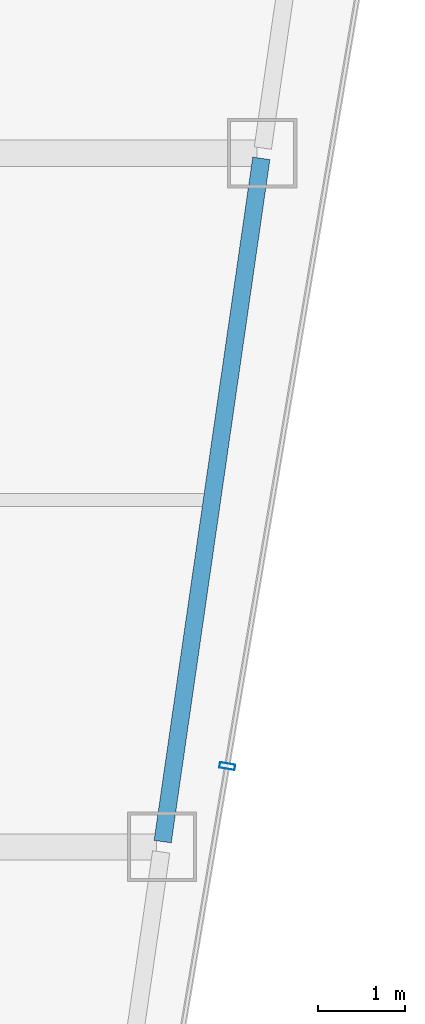
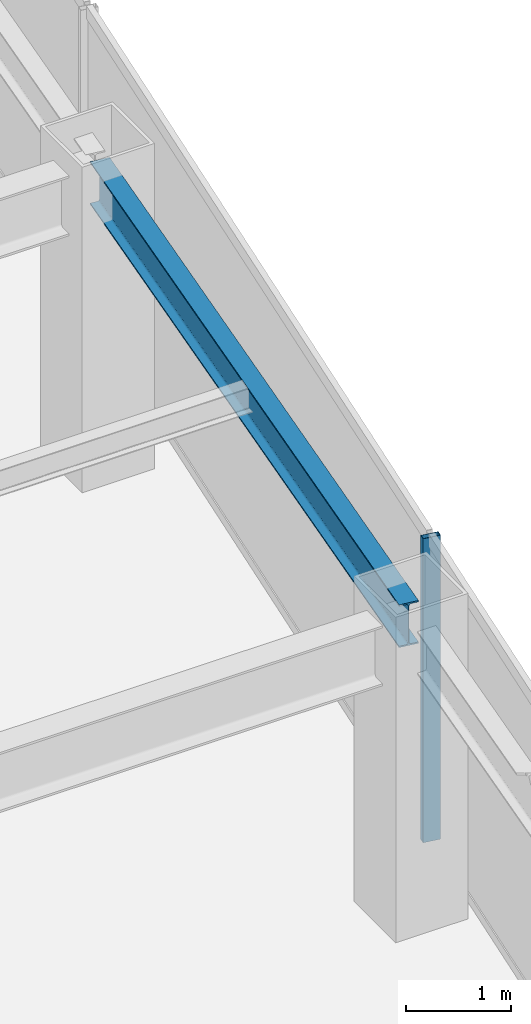
# One storey, part 20 of 35: 1 beam, 1 member, 1 element without a shape of its own.
"""IFC4 building model written with IfcOpenShell, lengths in metres."""

from ifc_helpers import new_model, si_unit, direction, frame, origin, origin_2d, place, context, subcontext, project, spatial, hollow_rectangle, i_section, extrude, material, material_profile, profile_set, type_object, element, aggregate, save


model = new_model("IFC4")

# Units and contexts
model_context = context("Model", 3, precision=1e-05, world=origin(), true_north=direction((0.0, 1.0)))
body_context = subcontext(model_context, "Body", "Model", "MODEL_VIEW")
ifc_project = project(units=[si_unit("LENGTHUNIT", "METRE"), si_unit("AREAUNIT", "SQUARE_METRE"), si_unit("VOLUMEUNIT", "CUBIC_METRE"), si_unit("PLANEANGLEUNIT", "RADIAN"), si_unit("MASSUNIT", "GRAM", prefix="KILO")], contexts=[model_context])

# Site, building, storey
site_placement = place(None, origin())
site = spatial("IfcSite", under=ifc_project, at=site_placement, CompositionType="ELEMENT")
building_placement = place(site_placement, origin())
building = spatial("IfcBuilding", under=site, at=building_placement, Name="Saevonmaru Cultural Tower", CompositionType="ELEMENT")
storey_placement = place(building_placement, frame((0.0, 0.0, 217.0)))
storey = spatial("IfcBuildingStorey", under=building, at=storey_placement, Name="L50", CompositionType="ELEMENT", Elevation=217.0)

# Beam
ifc_material_1 = material(Name="Steel SM355", Category="steel")
ifc_material_profile_1 = material_profile(ifc_material_1, i_section(OverallWidth=0.199951171875, OverallDepth=0.5, WebThickness=0.010009765625, FlangeThickness=0.01611328125, FilletRadius=0.02001953125, at=origin_2d()), Name="H-500x200x10x16")
ifc_profile_set_1 = profile_set([ifc_material_profile_1], Name="Steel SM355")
beam_type = type_object("IfcBeamType", Name="BM-SP-H500", PredefinedType="SPANDREL", material=ifc_profile_set_1)
beam_placement = place(storey_placement, frame((50.53662109375, 24.059326171875, 3.300048828125), z_axis=(0.142871999001, 0.989741174197, 0.0), x_axis=(-0.989741174197, 0.142871999001, 0.0)))
element("IfcBeam", 1, at=beam_placement, inside=storey, type_object=beam_type, Name="L50 East Splayed Spandrel 2", PredefinedType="SPANDREL", context=body_context, shape_type="SweptSolid", body=[
    extrude(i_section(OverallWidth=0.199951171875, OverallDepth=0.5, WebThickness=0.010009765625, FlangeThickness=0.01611328125, FilletRadius=0.02001953125, at=origin_2d()), origin(), (0.0, 0.0, 1.0), 7.963134765625),
])

# Curtain wall, member
ifc_material_2 = material(Name="Satin Bronze Anodised Aluminium", Category="aluminium")
curtain_wall_type = type_object("IfcCurtainWallType", Name="CW-TYP-B", PredefinedType="NOTDEFINED", material=ifc_material_2)
curtain_wall_placement = place(storey_placement, origin())
curtain_wall = element("IfcCurtainWall", 2, at=curtain_wall_placement, inside=storey, type_object=curtain_wall_type, Name="L50 Unitised Curtain Wall E8", PredefinedType="NOTDEFINED")
ifc_material_profile_2 = material_profile(ifc_material_2, hollow_rectangle(XDim=0.06494140625, YDim=0.179931640625, WallThickness=0.00390625, at=origin_2d()), Name="ALU-MULL-180x65x4")
ifc_profile_set_2 = profile_set([ifc_material_profile_2], Name="Satin Bronze Anodised Aluminium")
member_type = type_object("IfcMemberType", Name="ML-CW-180x65", PredefinedType="MULLION", material=ifc_profile_set_2)
member_placement = place(storey_placement, frame((51.28173828125, 24.9296875, 0.0), z_axis=(0.0, 0.0, 1.0), x_axis=(0.16692169721, 0.985970155228, 0.0)))
member = element("IfcMember", 3, at=member_placement, type_object=member_type, Name="CW-TW-L50-E8 mullion 2", PredefinedType="MULLION", context=body_context, shape_type="SweptSolid", body=[
    extrude(hollow_rectangle(XDim=0.06494140625, YDim=0.179931640625, WallThickness=0.00390625, at=origin_2d()), origin(), (0.0, 0.0, 1.0), 3.550048828125),
])
aggregate(curtain_wall, [member])

save(model, "model.ifc")
